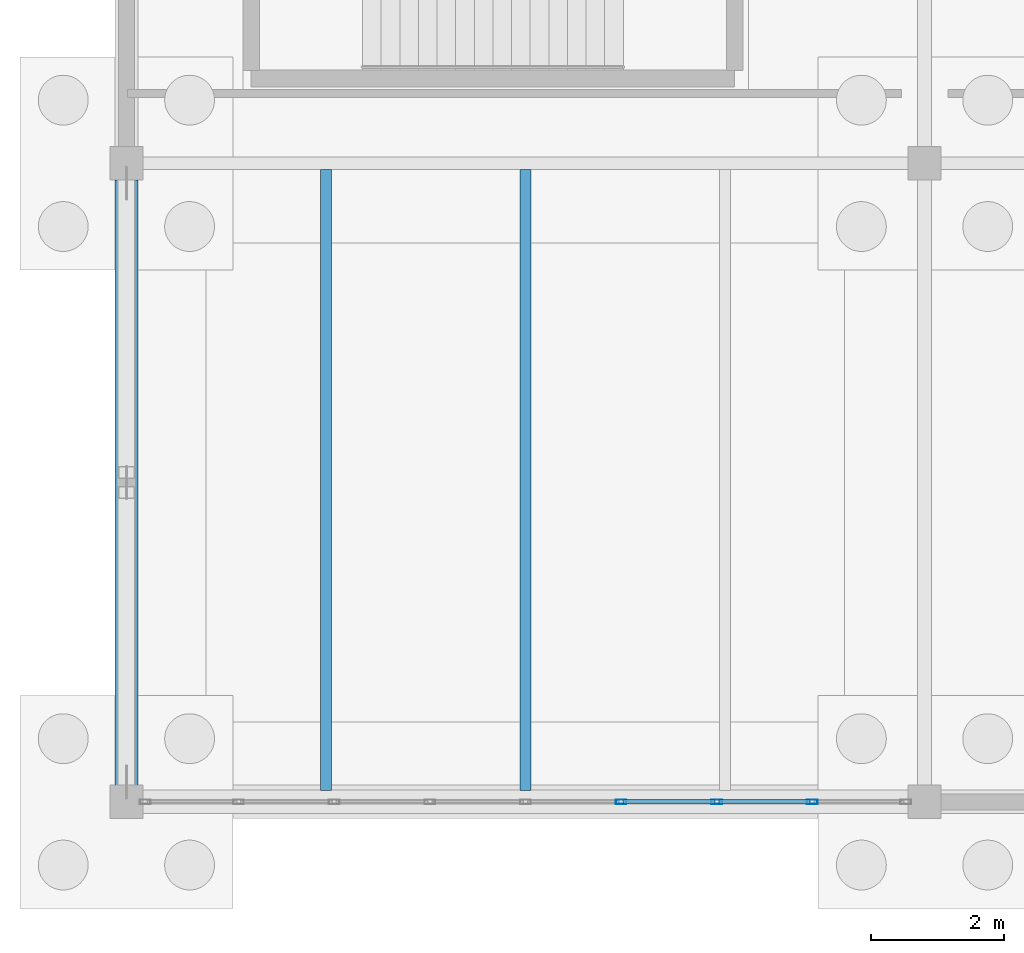
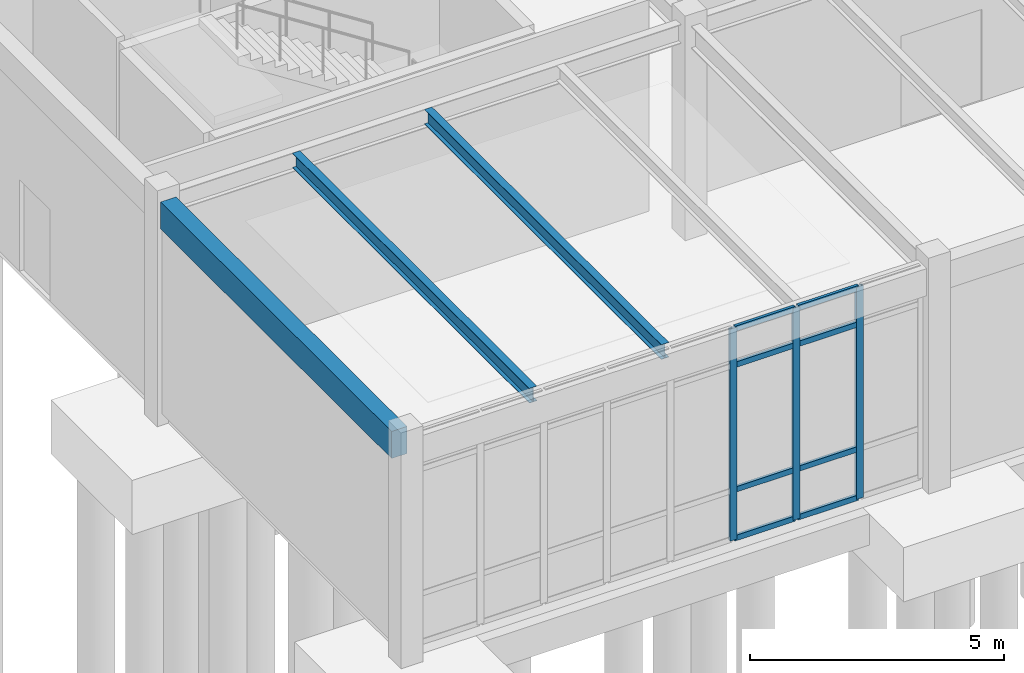
# One storey, part 21 of 188: 11 members, 3 beams, 1 element without a shape of its own.
"""IFC4 building model written with IfcOpenShell, lengths in metres."""

from ifc_helpers import new_model, si_unit, direction, frame, origin, origin_2d, place, context, subcontext, project, spatial, rectangle, hollow_rectangle, i_section, extrude, material, layer, layer_set, material_profile, profile_set, type_object, element, aggregate, save


model = new_model("IFC4")

# Units and contexts
model_context = context("Model", 3, precision=1e-05, world=origin(), true_north=direction((0.0, 1.0)))
body_context = subcontext(model_context, "Body", "Model", "MODEL_VIEW")
ifc_project = project(units=[si_unit("LENGTHUNIT", "METRE"), si_unit("AREAUNIT", "SQUARE_METRE"), si_unit("VOLUMEUNIT", "CUBIC_METRE"), si_unit("PLANEANGLEUNIT", "RADIAN"), si_unit("MASSUNIT", "GRAM", prefix="KILO")], contexts=[model_context])

# Site, building, storey
site_placement = place(None, origin())
site = spatial("IfcSite", under=ifc_project, at=site_placement, CompositionType="ELEMENT")
building_placement = place(site_placement, origin())
building = spatial("IfcBuilding", under=site, at=building_placement, Name="Pandanus Reach Market Hall", CompositionType="ELEMENT")
storey_placement = place(building_placement, origin())
storey = spatial("IfcBuildingStorey", under=building, at=storey_placement, Name="L00", CompositionType="ELEMENT", Elevation=0.0)

# Beam
ifc_material_1 = material(Name="Concrete N40 (40 MPa)", Category="concrete")
ifc_material_profile_1 = material_profile(ifc_material_1, rectangle(XDim=0.35009765625, YDim=0.64990234375, at=origin_2d()), Name="RC350x650", Category="LoadBearing")
ifc_profile_set_1 = profile_set([ifc_material_profile_1], Name="Concrete N40 (40 MPa)")
beam_type_1 = type_object("IfcBeamType", Name="BM-RC350-E", PredefinedType="SPANDREL", material=ifc_profile_set_1)
beam_placement = place(storey_placement, frame((0.0, 0.248046875, 4.784912109375), z_axis=(0.0, 1.0, 0.0), x_axis=(-1.0, 0.0, 0.0)))
element("IfcBeam", 1, at=beam_placement, inside=storey, type_object=beam_type_1, Name="Framing beam BM-RC350-E L00.933", PredefinedType="SPANDREL", context=body_context, shape_type="SweptSolid", body=[
    extrude(rectangle(XDim=0.35009765625, YDim=0.64990234375, at=origin_2d()), origin(), (0.0, 0.0, 1.0), 9.10400390625),
])

# Curtain wall, members
ifc_material_2 = material(Name="Bronze anodised aluminium and low-E glass", Category="aluminium")
ifc_layer = layer(ifc_material_2, 0.159912109375, Name="CW-09")
ifc_layer_set = layer_set([ifc_layer], Name="Bronze anodised aluminium and low-E glass")
curtain_wall_type = type_object("IfcCurtainWallType", Name="CW-09", PredefinedType="NOTDEFINED", material=ifc_layer_set)
curtain_wall_placement = place(storey_placement, origin())
curtain_wall = element("IfcCurtainWall", 2, at=curtain_wall_placement, inside=storey, type_object=curtain_wall_type, Name="Glazed curtain wall CW-09 CW-0047", PredefinedType="NOTDEFINED")
ifc_material_3 = material(Name="Bronze anodised aluminium", Category="aluminium")
ifc_material_profile_2 = material_profile(ifc_material_3, hollow_rectangle(XDim=0.06494140625, YDim=0.159912109375, WallThickness=0.00390625, at=origin_2d()), Name="ALU65x160", Category="LoadBearing")
ifc_profile_set_2 = profile_set([ifc_material_profile_2], Name="Bronze anodised aluminium")
member_type_1 = type_object("IfcMemberType", Name="CW-M1", PredefinedType="MULLION", material=ifc_profile_set_2)
member_1_placement = place(storey_placement, frame((7.4375, 0.0, 0.0), z_axis=(0.0, 0.0, 1.0), x_axis=(0.0, 1.0, 0.0)))
member_1 = element("IfcMember", 3, at=member_1_placement, type_object=member_type_1, Name="CW-09 mullion 6", PredefinedType="MULLION", context=body_context, shape_type="SweptSolid", body=[
    extrude(hollow_rectangle(XDim=0.06494140625, YDim=0.159912109375, WallThickness=0.00390625, at=origin_2d()), origin(), (0.0, 0.0, 1.0), 5.10009765625),
])
member_2_placement = place(storey_placement, frame((8.875, 0.0, 0.0), z_axis=(0.0, 0.0, 1.0), x_axis=(0.0, 1.0, 0.0)))
member_2 = element("IfcMember", 4, at=member_2_placement, type_object=member_type_1, Name="CW-09 mullion 7", PredefinedType="MULLION", context=body_context, shape_type="SweptSolid", body=[
    extrude(hollow_rectangle(XDim=0.06494140625, YDim=0.159912109375, WallThickness=0.00390625, at=origin_2d()), origin(), (0.0, 0.0, 1.0), 5.10009765625),
])
member_3_placement = place(storey_placement, frame((10.3125, 0.0, 0.0), z_axis=(0.0, 0.0, 1.0), x_axis=(0.0, 1.0, 0.0)))
member_3 = element("IfcMember", 5, at=member_3_placement, type_object=member_type_1, Name="CW-09 mullion 8", PredefinedType="MULLION", context=body_context, shape_type="SweptSolid", body=[
    extrude(hollow_rectangle(XDim=0.06494140625, YDim=0.159912109375, WallThickness=0.00390625, at=origin_2d()), origin(), (0.0, 0.0, 1.0), 5.10009765625),
])
ifc_material_profile_3 = material_profile(ifc_material_3, hollow_rectangle(XDim=0.06494140625, YDim=0.1298828125, WallThickness=0.00390625, at=origin_2d()), Name="ALU65x130", Category="LoadBearing")
ifc_profile_set_3 = profile_set([ifc_material_profile_3], Name="Bronze anodised aluminium")
member_type_2 = type_object("IfcMemberType", Name="CW-T1", PredefinedType="USERDEFINED", material=ifc_profile_set_3)
member_4_placement = place(storey_placement, frame((7.469970703125, 0.0, 0.032470703125), z_axis=(1.0, 0.0, 0.0), x_axis=(0.0, 1.0, 0.0)))
member_4 = element("IfcMember", 6, at=member_4_placement, type_object=member_type_2, Name="CW-09 transom 6.1", ObjectType="TRANSOM", PredefinedType="USERDEFINED", context=body_context, shape_type="SweptSolid", body=[
    extrude(hollow_rectangle(XDim=0.06494140625, YDim=0.1298828125, WallThickness=0.00390625, at=origin_2d()), origin(), (0.0, 0.0, 1.0), 1.37255859375),
])
member_5_placement = place(storey_placement, frame((7.469970703125, 0.0, 1.199951171875), z_axis=(1.0, 0.0, 0.0), x_axis=(0.0, 1.0, 0.0)))
member_5 = element("IfcMember", 7, at=member_5_placement, type_object=member_type_2, Name="CW-09 transom 6.2", ObjectType="TRANSOM", PredefinedType="USERDEFINED", context=body_context, shape_type="SweptSolid", body=[
    extrude(hollow_rectangle(XDim=0.06494140625, YDim=0.1298828125, WallThickness=0.00390625, at=origin_2d()), origin(), (0.0, 0.0, 1.0), 1.37255859375),
])
member_6_placement = place(storey_placement, frame((7.469970703125, 0.0, 4.199951171875), z_axis=(1.0, 0.0, 0.0), x_axis=(0.0, 1.0, 0.0)))
member_6 = element("IfcMember", 8, at=member_6_placement, type_object=member_type_2, Name="CW-09 transom 6.3", ObjectType="TRANSOM", PredefinedType="USERDEFINED", context=body_context, shape_type="SweptSolid", body=[
    extrude(hollow_rectangle(XDim=0.06494140625, YDim=0.1298828125, WallThickness=0.00390625, at=origin_2d()), origin(), (0.0, 0.0, 1.0), 1.37255859375),
])
member_7_placement = place(storey_placement, frame((7.469970703125, 0.0, 5.0673828125), z_axis=(1.0, 0.0, 0.0), x_axis=(0.0, 1.0, 0.0)))
member_7 = element("IfcMember", 9, at=member_7_placement, type_object=member_type_2, Name="CW-09 transom 6.4", ObjectType="TRANSOM", PredefinedType="USERDEFINED", context=body_context, shape_type="SweptSolid", body=[
    extrude(hollow_rectangle(XDim=0.06494140625, YDim=0.1298828125, WallThickness=0.00390625, at=origin_2d()), origin(), (0.0, 0.0, 1.0), 1.37255859375),
])
member_8_placement = place(storey_placement, frame((8.907470703125, 0.0, 0.032470703125), z_axis=(1.0, 0.0, 0.0), x_axis=(0.0, 1.0, 0.0)))
member_8 = element("IfcMember", 10, at=member_8_placement, type_object=member_type_2, Name="CW-09 transom 7.1", ObjectType="TRANSOM", PredefinedType="USERDEFINED", context=body_context, shape_type="SweptSolid", body=[
    extrude(hollow_rectangle(XDim=0.06494140625, YDim=0.1298828125, WallThickness=0.00390625, at=origin_2d()), origin(), (0.0, 0.0, 1.0), 1.37255859375),
])
member_9_placement = place(storey_placement, frame((8.907470703125, 0.0, 1.199951171875), z_axis=(1.0, 0.0, 0.0), x_axis=(0.0, 1.0, 0.0)))
member_9 = element("IfcMember", 11, at=member_9_placement, type_object=member_type_2, Name="CW-09 transom 7.2", ObjectType="TRANSOM", PredefinedType="USERDEFINED", context=body_context, shape_type="SweptSolid", body=[
    extrude(hollow_rectangle(XDim=0.06494140625, YDim=0.1298828125, WallThickness=0.00390625, at=origin_2d()), origin(), (0.0, 0.0, 1.0), 1.37255859375),
])
member_10_placement = place(storey_placement, frame((8.907470703125, 0.0, 4.199951171875), z_axis=(1.0, 0.0, 0.0), x_axis=(0.0, 1.0, 0.0)))
member_10 = element("IfcMember", 12, at=member_10_placement, type_object=member_type_2, Name="CW-09 transom 7.3", ObjectType="TRANSOM", PredefinedType="USERDEFINED", context=body_context, shape_type="SweptSolid", body=[
    extrude(hollow_rectangle(XDim=0.06494140625, YDim=0.1298828125, WallThickness=0.00390625, at=origin_2d()), origin(), (0.0, 0.0, 1.0), 1.37255859375),
])
member_11_placement = place(storey_placement, frame((8.907470703125, 0.0, 5.0673828125), z_axis=(1.0, 0.0, 0.0), x_axis=(0.0, 1.0, 0.0)))
member_11 = element("IfcMember", 13, at=member_11_placement, type_object=member_type_2, Name="CW-09 transom 7.4", ObjectType="TRANSOM", PredefinedType="USERDEFINED", context=body_context, shape_type="SweptSolid", body=[
    extrude(hollow_rectangle(XDim=0.06494140625, YDim=0.1298828125, WallThickness=0.00390625, at=origin_2d()), origin(), (0.0, 0.0, 1.0), 1.37255859375),
])
aggregate(curtain_wall, [member_1, member_2, member_3, member_4, member_5, member_6, member_7, member_8, member_9, member_10, member_11])

# Beams
ifc_material_4 = material(Name="Steel Grade 350 (350 MPa)", Category="steel")
ifc_material_profile_4 = material_profile(ifc_material_4, i_section(OverallWidth=0.1708984375, OverallDepth=0.35595703125, WebThickness=0.00732421875, FlangeThickness=0.011474609375, at=origin_2d()), Name="360UB50.7", Category="LoadBearing")
ifc_profile_set_4 = profile_set([ifc_material_profile_4], Name="Steel Grade 350 (350 MPa)")
beam_type_2 = type_object("IfcBeamType", Name="JS-UB360-I", PredefinedType="JOIST", material=ifc_profile_set_4)
for number, where, z_axis, x_axis, name in (
    (14, (3.0, 0.173095703125, 4.931640625), (0.0, 1.0, 0.0), (-1.0, 0.0, 0.0), "Secondary joist JS-UB360-I L00.945"),
    (15, (6.0, 0.173095703125, 4.931640625), (0.0, 1.0, 0.0), (-1.0, 0.0, 0.0), "Secondary joist JS-UB360-I L00.946"),
):
    element("IfcBeam", number, at=place(storey_placement, frame(where, z_axis=z_axis, x_axis=x_axis)), inside=storey, type_object=beam_type_2, Name=name, PredefinedType="JOIST", context=body_context, shape_type="SweptSolid", body=[
        extrude(i_section(OverallWidth=0.1708984375, OverallDepth=0.35595703125, WebThickness=0.00732421875, FlangeThickness=0.011474609375, at=origin_2d()), origin(), (0.0, 0.0, 1.0), 9.333984375),
    ])

save(model, "model.ifc")
